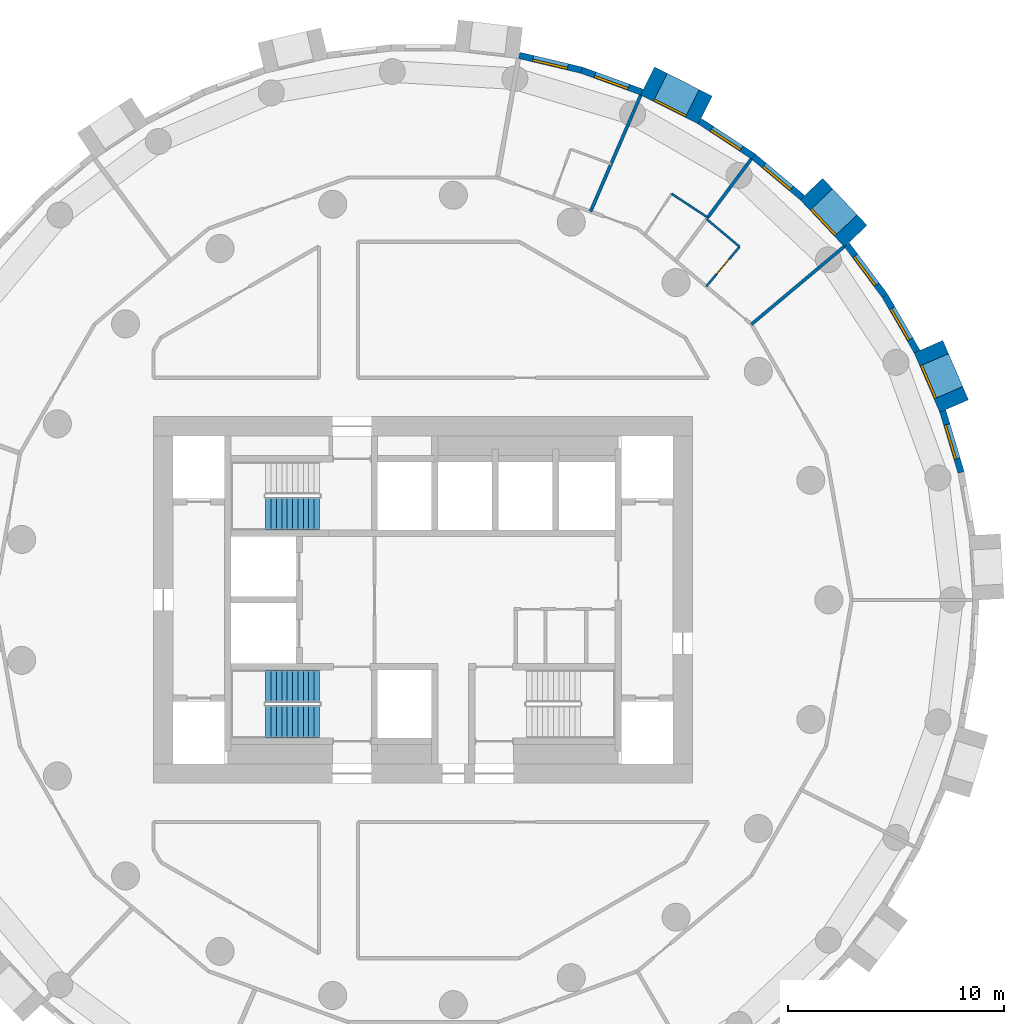
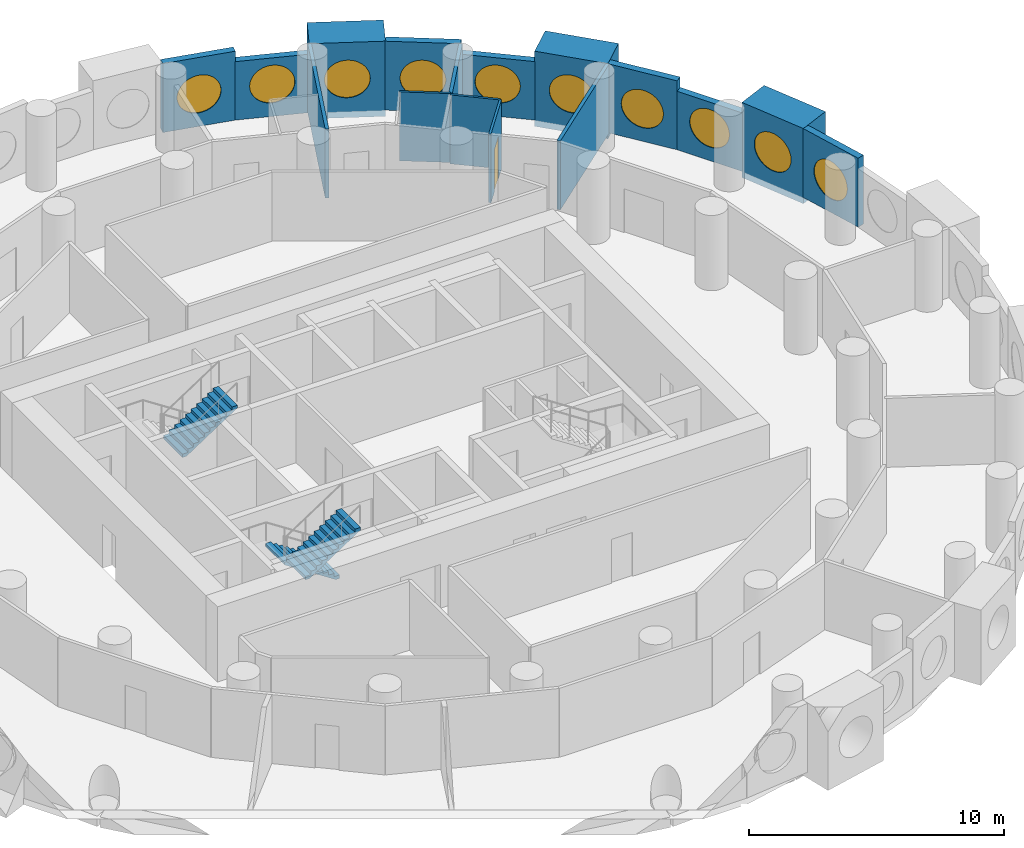
# One storey, part 7 of 9: 16 walls, 10 windows, 3 stair flights, 1 door, 11 openings, 2 elements without a shape of their own.
"""IFC4 building model written with IfcOpenShell, lengths in metres."""

from ifc_helpers import new_model, si_unit, direction, frame, frame_2d, origin, origin_2d, place, context, subcontext, project, spatial, polyline, rectangle, circle, outline, extrude, material, layer, layer_set, type_object, element, fill, aggregate, save


model = new_model("IFC4")

# Units and contexts
model_context = context("Model", 3, precision=1e-05, world=origin(), true_north=direction((0.0, 1.0)))
body_context = subcontext(model_context, "Body", "Model", "MODEL_VIEW")
ifc_project = project(units=[si_unit("LENGTHUNIT", "METRE"), si_unit("AREAUNIT", "SQUARE_METRE"), si_unit("VOLUMEUNIT", "CUBIC_METRE"), si_unit("PLANEANGLEUNIT", "RADIAN"), si_unit("MASSUNIT", "GRAM", prefix="KILO")], contexts=[model_context])

# Site, building, storey
site_placement = place(None, origin())
site = spatial("IfcSite", under=ifc_project, at=site_placement, CompositionType="ELEMENT")
building_placement = place(site_placement, origin())
building = spatial("IfcBuilding", under=site, at=building_placement, Name="Tracery Tower", CompositionType="ELEMENT")
storey_placement = place(building_placement, frame((0.0, 0.0, 154.800048828125)))
storey = spatial("IfcBuildingStorey", under=building, at=storey_placement, Name="L39", CompositionType="ELEMENT", Elevation=154.800048828125)

# Wall, opening, window
ifc_material_1 = material(Name="Precast concrete C50/60", Category="concrete")
ifc_layer_1 = layer(ifc_material_1, 1.449951171875)
ifc_layer_set_1 = layer_set([ifc_layer_1], Name="Deep-set bay unit 3000 x 3600, slab edge 300")
wall_type_1 = type_object("IfcWallType", Name="Deep-set bay unit 3000 x 3600, slab edge 300", PredefinedType="ELEMENTEDWALL", material=ifc_layer_set_1)
wall_1_placement = place(storey_placement, frame((24.632080078125, 8.99169921875, -0.300048828125), z_axis=(0.0, 0.0, 1.0), x_axis=(-0.396079003245, 0.918216435917, 0.0)))
wall_1 = element("IfcWall", 1, at=wall_1_placement, inside=storey, type_object=wall_type_1, Name="Deep-set bay unit 4 at L39", PredefinedType="ELEMENTEDWALL", context=body_context, shape_type="SweptSolid", body=[
    extrude(rectangle(XDim=3.0, YDim=1.449951171875, at=frame_2d((1.5, 0.0))), origin(), (0.0, 0.0, 1.0), 3.60009765625),
])
opening_1_placement = place(wall_1_placement, frame((1.5, 0.0, 1.85009765625)))
opening_1 = element("IfcOpeningElement", 2, at=opening_1_placement, cuts=wall_1, Name="Opening WN1", PredefinedType="OPENING", context=body_context, shape_type="SweptSolid", body=[
    extrude(circle(Radius=0.9000244140625, at=origin_2d()), frame((0.0, 0.73486328125, 0.0), z_axis=(0.0, -1.0, 0.0), x_axis=(1.0, 0.0, 0.0)), (0.0, 0.0, 1.0), 1.469970703125),
])
ifc_material_2 = material(Name="Aluminium frame with tinted double glazing", Category="aluminium")
window_type = type_object("IfcWindowType", Name="Round window 1800", PartitioningType="SINGLE_PANEL", PredefinedType="WINDOW", material=ifc_material_2)
window_1_placement = place(opening_1_placement, origin())
window_1 = element("IfcWindow", 3, at=window_1_placement, inside=storey, type_object=window_type, Name="Round window 4 at L39", OverallHeight=1.800048828125, OverallWidth=1.800048828125, PartitioningType="SINGLE_PANEL", PredefinedType="WINDOW", context=body_context, shape_type="SweptSolid", body=[
    extrude(circle(Radius=0.9000244140625, at=origin_2d()), frame((0.0, 0.69482421875, 0.0), z_axis=(0.0, -1.0, 0.0), x_axis=(1.0, 0.0, 0.0)), (0.0, 0.0, 1.0), 0.10009765625),
])
fill(opening_1, window_1)

wall_2_placement = place(storey_placement, frame((20.0712890625, 16.8740234375, -0.300048828125), z_axis=(0.0, 0.0, 1.0), x_axis=(-0.686217177108, 0.727396718334, 0.0)))
wall_2 = element("IfcWall", 4, at=wall_2_placement, inside=storey, type_object=wall_type_1, Name="Deep-set bay unit 7 at L39", PredefinedType="ELEMENTEDWALL", context=body_context, shape_type="SweptSolid", body=[
    extrude(rectangle(XDim=3.0, YDim=1.449951171875, at=frame_2d((1.5, 0.0))), origin(), (0.0, 0.0, 1.0), 3.60009765625),
])
opening_2_placement = place(wall_2_placement, frame((1.5, 0.0, 1.85009765625)))
opening_2 = element("IfcOpeningElement", 5, at=opening_2_placement, cuts=wall_2, Name="Opening WN1", PredefinedType="OPENING", context=body_context, shape_type="SweptSolid", body=[
    extrude(circle(Radius=0.9000244140625, at=origin_2d()), frame((0.0, 0.73486328125, 0.0), z_axis=(0.0, -1.0, 0.0), x_axis=(1.0, 0.0, 0.0)), (0.0, 0.0, 1.0), 1.469970703125),
])
window_2_placement = place(opening_2_placement, origin())
window_2 = element("IfcWindow", 6, at=window_2_placement, inside=storey, type_object=window_type, Name="Round window 7 at L39", OverallHeight=1.800048828125, OverallWidth=1.800048828125, PartitioningType="SINGLE_PANEL", PredefinedType="WINDOW", context=body_context, shape_type="SweptSolid", body=[
    extrude(circle(Radius=0.9000244140625, at=origin_2d()), frame((0.0, 0.69482421875, 0.0), z_axis=(0.0, -1.0, 0.0), x_axis=(1.0, 0.0, 0.0)), (0.0, 0.0, 1.0), 0.10009765625),
])
fill(opening_2, window_2)

wall_3_placement = place(storey_placement, frame((13.089599609375, 22.72119140625, -0.300048828125), z_axis=(0.0, 0.0, 1.0), x_axis=(-0.893628249713, 0.448807922518, 0.0)))
wall_3 = element("IfcWall", 7, at=wall_3_placement, inside=storey, type_object=wall_type_1, Name="Deep-set bay unit 10 at L39", PredefinedType="ELEMENTEDWALL", context=body_context, shape_type="SweptSolid", body=[
    extrude(rectangle(XDim=3.0, YDim=1.449951171875, at=frame_2d((1.5, 0.0))), origin(), (0.0, 0.0, 1.0), 3.60009765625),
])
opening_3_placement = place(wall_3_placement, frame((1.5, 0.0, 1.85009765625)))
opening_3 = element("IfcOpeningElement", 8, at=opening_3_placement, cuts=wall_3, Name="Opening WN1", PredefinedType="OPENING", context=body_context, shape_type="SweptSolid", body=[
    extrude(circle(Radius=0.9000244140625, at=origin_2d()), frame((0.0, 0.73486328125, 0.0), z_axis=(0.0, -1.0, 0.0), x_axis=(1.0, 0.0, 0.0)), (0.0, 0.0, 1.0), 1.469970703125),
])
window_3_placement = place(opening_3_placement, origin())
window_3 = element("IfcWindow", 9, at=window_3_placement, inside=storey, type_object=window_type, Name="Round window 10 at L39", OverallHeight=1.800048828125, OverallWidth=1.800048828125, PartitioningType="SINGLE_PANEL", PredefinedType="WINDOW", context=body_context, shape_type="SweptSolid", body=[
    extrude(circle(Radius=0.9000244140625, at=origin_2d()), frame((0.0, 0.69482421875, 0.0), z_axis=(0.0, -1.0, 0.0), x_axis=(1.0, 0.0, 0.0)), (0.0, 0.0, 1.0), 0.10009765625),
])
fill(opening_3, window_3)

ifc_material_3 = material(Name="Precast concrete C50/60", Category="concrete")
ifc_layer_2 = layer(ifc_material_3, 0.300048828125)
ifc_layer_set_2 = layer_set([ifc_layer_2], Name="Facade panel 3000 x 2800")
wall_type_2 = type_object("IfcWallType", Name="Facade panel 3000 x 2800", PredefinedType="SOLIDWALL", material=ifc_layer_set_2)
wall_4_placement = place(storey_placement, frame((22.91455078125, 11.518798828125, 0.0), z_axis=(0.0, 0.0, 1.0), x_axis=(-0.499954672104, 0.866051572276, 0.0)))
wall_4 = element("IfcWall", 10, at=wall_4_placement, inside=storey, type_object=wall_type_2, Name="Facade panel 5 at L39", PredefinedType="SOLIDWALL", context=body_context, shape_type="SweptSolid", body=[
    extrude(rectangle(XDim=2.972900390625, YDim=0.300048828125, at=frame_2d((1.486328125, 0.0))), origin(), (0.0, 0.0, 1.0), 2.800048828125),
])
opening_4_placement = place(wall_4_placement, frame((1.486328125, 0.0, 1.5498046875)))
opening_4 = element("IfcOpeningElement", 11, at=opening_4_placement, cuts=wall_4, Name="Opening WN1", PredefinedType="OPENING", context=body_context, shape_type="SweptSolid", body=[
    extrude(circle(Radius=0.9000244140625, at=origin_2d()), frame((0.0, 0.159912109375, 0.0), z_axis=(0.0, -1.0, 0.0), x_axis=(1.0, 0.0, 0.0)), (0.0, 0.0, 1.0), 0.320068359375),
])
window_4_placement = place(opening_4_placement, origin())
window_4 = element("IfcWindow", 12, at=window_4_placement, inside=storey, type_object=window_type, Name="Round window 5 at L39", OverallHeight=1.800048828125, OverallWidth=1.800048828125, PartitioningType="SINGLE_PANEL", PredefinedType="WINDOW", context=body_context, shape_type="SweptSolid", body=[
    extrude(circle(Radius=0.9000244140625, at=origin_2d()), frame((0.0, 0.1201171875, 0.0), z_axis=(0.0, -1.0, 0.0), x_axis=(1.0, 0.0, 0.0)), (0.0, 0.0, 1.0), 0.10009765625),
])
fill(opening_4, window_4)

wall_5_placement = place(storey_placement, frame((17.593017578125, 18.661376953125, 0.0), z_axis=(0.0, 0.0, 1.0), x_axis=(-0.766008913364, 0.642829950023, 0.0)))
wall_5 = element("IfcWall", 13, at=wall_5_placement, inside=storey, type_object=wall_type_2, Name="Facade panel 8 at L39", PredefinedType="SOLIDWALL", context=body_context, shape_type="SweptSolid", body=[
    extrude(rectangle(XDim=2.972900390625, YDim=0.300048828125, at=frame_2d((1.486328125, 0.0))), origin(), (0.0, 0.0, 1.0), 2.800048828125),
])
opening_5_placement = place(wall_5_placement, frame((1.486328125, 0.0, 1.5498046875)))
opening_5 = element("IfcOpeningElement", 14, at=opening_5_placement, cuts=wall_5, Name="Opening WN1", PredefinedType="OPENING", context=body_context, shape_type="SweptSolid", body=[
    extrude(circle(Radius=0.9000244140625, at=origin_2d()), frame((0.0, 0.159912109375, 0.0), z_axis=(0.0, -1.0, 0.0), x_axis=(1.0, 0.0, 0.0)), (0.0, 0.0, 1.0), 0.320068359375),
])
window_5_placement = place(opening_5_placement, origin())
window_5 = element("IfcWindow", 15, at=window_5_placement, inside=storey, type_object=window_type, Name="Round window 8 at L39", OverallHeight=1.800048828125, OverallWidth=1.800048828125, PartitioningType="SINGLE_PANEL", PredefinedType="WINDOW", context=body_context, shape_type="SweptSolid", body=[
    extrude(circle(Radius=0.9000244140625, at=origin_2d()), frame((0.0, 0.1201171875, 0.0), z_axis=(0.0, -1.0, 0.0), x_axis=(1.0, 0.0, 0.0)), (0.0, 0.0, 1.0), 0.10009765625),
])
fill(opening_5, window_5)

wall_6_placement = place(storey_placement, frame((10.1494140625, 23.55322265625, 0.0), z_axis=(0.0, 0.0, 1.0), x_axis=(-0.939690282133, 0.342026568652, 0.0)))
wall_6 = element("IfcWall", 16, at=wall_6_placement, inside=storey, type_object=wall_type_2, Name="Facade panel 11 at L39", PredefinedType="SOLIDWALL", context=body_context, shape_type="SweptSolid", body=[
    extrude(rectangle(XDim=2.972900390625, YDim=0.300048828125, at=frame_2d((1.486328125, 0.0))), origin(), (0.0, 0.0, 1.0), 2.800048828125),
])
opening_6_placement = place(wall_6_placement, frame((1.486328125, 0.0, 1.5498046875)))
opening_6 = element("IfcOpeningElement", 17, at=opening_6_placement, cuts=wall_6, Name="Opening WN1", PredefinedType="OPENING", context=body_context, shape_type="SweptSolid", body=[
    extrude(circle(Radius=0.9000244140625, at=origin_2d()), frame((0.0, 0.159912109375, 0.0), z_axis=(0.0, -1.0, 0.0), x_axis=(1.0, 0.0, 0.0)), (0.0, 0.0, 1.0), 0.320068359375),
])
window_6_placement = place(opening_6_placement, origin())
window_6 = element("IfcWindow", 18, at=window_6_placement, inside=storey, type_object=window_type, Name="Round window 11 at L39", OverallHeight=1.800048828125, OverallWidth=1.800048828125, PartitioningType="SINGLE_PANEL", PredefinedType="WINDOW", context=body_context, shape_type="SweptSolid", body=[
    extrude(circle(Radius=0.9000244140625, at=origin_2d()), frame((0.0, 0.1201171875, 0.0), z_axis=(0.0, -1.0, 0.0), x_axis=(1.0, 0.0, 0.0)), (0.0, 0.0, 1.0), 0.10009765625),
])
fill(opening_6, window_6)

ifc_material_4 = material(Name="Precast concrete C50/60", Category="concrete")
ifc_layer_3 = layer(ifc_material_4, 0.300048828125)
ifc_layer_set_3 = layer_set([ifc_layer_3], Name="Facade panel 3000 x 3300")
wall_type_3 = type_object("IfcWallType", Name="Facade panel 3000 x 3300", PredefinedType="SOLIDWALL", material=ifc_layer_set_3)
wall_7_placement = place(storey_placement, frame((24.9560546875, 5.914794921875, 0.0), z_axis=(0.0, 0.0, 1.0), x_axis=(-0.286782750849, 0.957995643944, 0.0)))
wall_7 = element("IfcWall", 19, at=wall_7_placement, inside=storey, type_object=wall_type_3, Name="Facade panel 3 at L39", PredefinedType="SOLIDWALL", context=body_context, shape_type="SweptSolid", body=[
    extrude(rectangle(XDim=2.97265625, YDim=0.300048828125, at=frame_2d((1.486328125, 0.0))), origin(), (0.0, 0.0, 1.0), 3.300048828125),
])
opening_7_placement = place(wall_7_placement, frame((1.486328125, 0.0, 1.5498046875)))
opening_7 = element("IfcOpeningElement", 20, at=opening_7_placement, cuts=wall_7, Name="Opening WN1", PredefinedType="OPENING", context=body_context, shape_type="SweptSolid", body=[
    extrude(circle(Radius=0.9000244140625, at=origin_2d()), frame((0.0, 0.159912109375, 0.0), z_axis=(0.0, -1.0, 0.0), x_axis=(1.0, 0.0, 0.0)), (0.0, 0.0, 1.0), 0.320068359375),
])
window_7_placement = place(opening_7_placement, origin())
window_7 = element("IfcWindow", 21, at=window_7_placement, inside=storey, type_object=window_type, Name="Round window 3 at L39", OverallHeight=1.800048828125, OverallWidth=1.800048828125, PartitioningType="SINGLE_PANEL", PredefinedType="WINDOW", context=body_context, shape_type="SweptSolid", body=[
    extrude(circle(Radius=0.9000244140625, at=origin_2d()), frame((0.0, 0.1201171875, 0.0), z_axis=(0.0, -1.0, 0.0), x_axis=(1.0, 0.0, 0.0)), (0.0, 0.0, 1.0), 0.10009765625),
])
fill(opening_7, window_7)

wall_8_placement = place(storey_placement, frame((21.42822265625, 14.093505859375, 0.0), z_axis=(0.0, 0.0, 1.0), x_axis=(-0.597197580538, 0.80209416517, 0.0)))
wall_8 = element("IfcWall", 22, at=wall_8_placement, inside=storey, type_object=wall_type_3, Name="Facade panel 6 at L39", PredefinedType="SOLIDWALL", context=body_context, shape_type="SweptSolid", body=[
    extrude(rectangle(XDim=2.972900390625, YDim=0.300048828125, at=frame_2d((1.486328125, 0.0))), origin(), (0.0, 0.0, 1.0), 3.300048828125),
])
opening_8_placement = place(wall_8_placement, frame((1.486328125, 0.0, 1.5498046875)))
opening_8 = element("IfcOpeningElement", 23, at=opening_8_placement, cuts=wall_8, Name="Opening WN1", PredefinedType="OPENING", context=body_context, shape_type="SweptSolid", body=[
    extrude(circle(Radius=0.9000244140625, at=origin_2d()), frame((0.0, 0.159912109375, 0.0), z_axis=(0.0, -1.0, 0.0), x_axis=(1.0, 0.0, 0.0)), (0.0, 0.0, 1.0), 0.320068359375),
])
window_8_placement = place(opening_8_placement, origin())
window_8 = element("IfcWindow", 24, at=window_8_placement, inside=storey, type_object=window_type, Name="Round window 6 at L39", OverallHeight=1.800048828125, OverallWidth=1.800048828125, PartitioningType="SINGLE_PANEL", PredefinedType="WINDOW", context=body_context, shape_type="SweptSolid", body=[
    extrude(circle(Radius=0.9000244140625, at=origin_2d()), frame((0.0, 0.1201171875, 0.0), z_axis=(0.0, -1.0, 0.0), x_axis=(1.0, 0.0, 0.0)), (0.0, 0.0, 1.0), 0.10009765625),
])
fill(opening_8, window_8)

wall_9_placement = place(storey_placement, frame((15.315673828125, 20.572509765625, 0.0), z_axis=(0.0, 0.0, 1.0), x_axis=(-0.835508361394, 0.54947773207, 0.0)))
wall_9 = element("IfcWall", 25, at=wall_9_placement, inside=storey, type_object=wall_type_3, Name="Facade panel 9 at L39", PredefinedType="SOLIDWALL", context=body_context, shape_type="SweptSolid", body=[
    extrude(rectangle(XDim=2.972900390625, YDim=0.300048828125, at=frame_2d((1.486328125, 0.0))), origin(), (0.0, 0.0, 1.0), 3.300048828125),
])
opening_9_placement = place(wall_9_placement, frame((1.486328125, 0.0, 1.5498046875)))
opening_9 = element("IfcOpeningElement", 26, at=opening_9_placement, cuts=wall_9, Name="Opening WN1", PredefinedType="OPENING", context=body_context, shape_type="SweptSolid", body=[
    extrude(circle(Radius=0.9000244140625, at=origin_2d()), frame((0.0, 0.159912109375, 0.0), z_axis=(0.0, -1.0, 0.0), x_axis=(1.0, 0.0, 0.0)), (0.0, 0.0, 1.0), 0.320068359375),
])
window_9_placement = place(opening_9_placement, origin())
window_9 = element("IfcWindow", 27, at=window_9_placement, inside=storey, type_object=window_type, Name="Round window 9 at L39", OverallHeight=1.800048828125, OverallWidth=1.800048828125, PartitioningType="SINGLE_PANEL", PredefinedType="WINDOW", context=body_context, shape_type="SweptSolid", body=[
    extrude(circle(Radius=0.9000244140625, at=origin_2d()), frame((0.0, 0.1201171875, 0.0), z_axis=(0.0, -1.0, 0.0), x_axis=(1.0, 0.0, 0.0)), (0.0, 0.0, 1.0), 0.10009765625),
])
fill(opening_9, window_9)

wall_10_placement = place(storey_placement, frame((7.355712890625, 24.570068359375, 0.0), z_axis=(0.0, 0.0, 1.0), x_axis=(-0.973045378923, 0.230613725862, 0.0)))
wall_10 = element("IfcWall", 28, at=wall_10_placement, inside=storey, type_object=wall_type_3, Name="Facade panel 12 at L39", PredefinedType="SOLIDWALL", context=body_context, shape_type="SweptSolid", body=[
    extrude(rectangle(XDim=2.97265625, YDim=0.300048828125, at=frame_2d((1.486328125, 0.0))), origin(), (0.0, 0.0, 1.0), 3.300048828125),
])
opening_10_placement = place(wall_10_placement, frame((1.486328125, 0.0, 1.5498046875)))
opening_10 = element("IfcOpeningElement", 29, at=opening_10_placement, cuts=wall_10, Name="Opening WN1", PredefinedType="OPENING", context=body_context, shape_type="SweptSolid", body=[
    extrude(circle(Radius=0.9000244140625, at=origin_2d()), frame((0.0, 0.159912109375, 0.0), z_axis=(0.0, -1.0, 0.0), x_axis=(1.0, 0.0, 0.0)), (0.0, 0.0, 1.0), 0.320068359375),
])
window_10_placement = place(opening_10_placement, origin())
window_10 = element("IfcWindow", 30, at=window_10_placement, inside=storey, type_object=window_type, Name="Round window 12 at L39", OverallHeight=1.800048828125, OverallWidth=1.800048828125, PartitioningType="SINGLE_PANEL", PredefinedType="WINDOW", context=body_context, shape_type="SweptSolid", body=[
    extrude(circle(Radius=0.9000244140625, at=origin_2d()), frame((0.0, 0.1201171875, 0.0), z_axis=(0.0, -1.0, 0.0), x_axis=(1.0, 0.0, 0.0)), (0.0, 0.0, 1.0), 0.10009765625),
])
fill(opening_10, window_10)

# Wall, opening, door
ifc_material_5 = material(Name="Plasterboard on steel studs", Category="steel")
ifc_layer_4 = layer(ifc_material_5, 0.10009765625)
ifc_layer_set_4 = layer_set([ifc_layer_4], Name="Partition 100 wet wall")
wall_type_4 = type_object("IfcWallType", Name="Partition 100 wet wall", PredefinedType="PARTITIONING", material=ifc_layer_set_4)
wall_11_placement = place(storey_placement, frame((13.138916015625, 14.5419921875, 0.0), z_axis=(0.0, 0.0, 1.0), x_axis=(0.642731657745, 0.766091388891, 0.0)))
wall_11 = element("IfcWall", 31, at=wall_11_placement, inside=storey, type_object=wall_type_4, Name="Wet wall RB3-041", PredefinedType="PARTITIONING", context=body_context, shape_type="SweptSolid", body=[
    extrude(rectangle(XDim=2.400634765625, YDim=0.10009765625, at=frame_2d((1.2001953125, 0.0))), origin(), (0.0, 0.0, 1.0), 3.300048828125),
])
opening_11_placement = place(wall_11_placement, frame((0.75, 0.0, 0.0)))
opening_11 = element("IfcOpeningElement", 32, at=opening_11_placement, cuts=wall_11, Name="Opening RB3-06", PredefinedType="OPENING", context=body_context, shape_type="SweptSolid", body=[
    extrude(rectangle(XDim=0.89990234375, YDim=2.0400390625, at=frame_2d((0.449951171875, 1.02001953125))), frame((0.0, 0.050048828125, 0.0), z_axis=(0.0, -1.0, 0.0), x_axis=(1.0, 0.0, 0.0)), (0.0, 0.0, 1.0), 0.10009765625),
])
ifc_material_6 = material(Name="Timber door leaf", Category="wood")
door_type = type_object("IfcDoorType", Name="Door en-suite 900", OperationType="NOTDEFINED", PredefinedType="DOOR", material=ifc_material_6)
door_placement = place(opening_11_placement, origin())
door = element("IfcDoor", 33, at=door_placement, inside=storey, type_object=door_type, Name="En-suite door RB3-06", OperationType="SINGLE_SWING_LEFT", OverallHeight=2.0400390625, OverallWidth=0.89990234375, PredefinedType="DOOR", context=body_context, shape_type="SweptSolid", body=[
    extrude(rectangle(XDim=0.89990234375, YDim=2.0400390625, at=frame_2d((0.449951171875, 1.02001953125))), frame((0.0, 0.02490234375, 0.0), z_axis=(0.0, -1.0, 0.0), x_axis=(1.0, 0.0, 0.0)), (0.0, 0.0, 1.0), 0.050048828125),
])
fill(opening_11, door)

# Walls
wall_12_placement = place(storey_placement, frame((13.15087890625, 17.6650390625, 0.0), z_axis=(0.0, 0.0, 1.0), x_axis=(0.766224532916, -0.642572925945, 0.0)))
element("IfcWall", 34, at=wall_12_placement, inside=storey, type_object=wall_type_4, Name="Wet wall RB3-042", PredefinedType="PARTITIONING", context=body_context, shape_type="SweptSolid", body=[
    extrude(rectangle(XDim=1.998046875, YDim=0.10009765625, at=frame_2d((0.9990234375, 0.0))), origin(), (0.0, 0.0, 1.0), 3.300048828125),
])
wall_13_placement = place(storey_placement, frame((11.531005859375, 18.8369140625, 0.0), z_axis=(0.0, 0.0, 1.0), x_axis=(0.835392041163, -0.549654562032, 0.0)))
element("IfcWall", 35, at=wall_13_placement, inside=storey, type_object=wall_type_4, Name="Wet wall RB3-045", PredefinedType="PARTITIONING", context=body_context, shape_type="SweptSolid", body=[
    extrude(rectangle(XDim=2.002685546875, YDim=0.10009765625, at=frame_2d((1.00146484375, 0.0))), origin(), (0.0, 0.0, 1.0), 3.300048828125),
])
ifc_material_7 = material(Name="Plasterboard on steel studs", Category="steel")
ifc_layer_5 = layer(ifc_material_7, 0.14990234375)
ifc_layer_set_5 = layer_set([ifc_layer_5], Name="Partition 150 acoustic unit wall")
wall_type_5 = type_object("IfcWallType", Name="Partition 150 acoustic unit wall", PredefinedType="PARTITIONING", material=ifc_layer_set_5)
wall_14_placement = place(storey_placement, frame((15.235107421875, 12.783935546875, 0.0), z_axis=(0.0, 0.0, 1.0), x_axis=(0.76609059793, 0.642732600514, 0.0)))
element("IfcWall", 36, at=wall_14_placement, inside=storey, type_object=wall_type_5, Name="Unit wall RB3-039", PredefinedType="PARTITIONING", context=body_context, shape_type="SweptSolid", body=[
    extrude(rectangle(XDim=5.60888671875, YDim=0.14990234375, at=frame_2d((2.804443359375, 0.0))), origin(), (0.0, 0.0, 1.0), 3.300048828125),
])
wall_15_placement = place(storey_placement, frame((13.201904296875, 17.73291015625, 0.0), z_axis=(0.0, 0.0, 1.0), x_axis=(0.597149819296, 0.802129723495, 0.0)))
element("IfcWall", 37, at=wall_15_placement, inside=storey, type_object=wall_type_5, Name="Unit wall RB3-043", PredefinedType="PARTITIONING", context=body_context, shape_type="SweptSolid", body=[
    extrude(rectangle(XDim=3.3896484375, YDim=0.14990234375, at=frame_2d((1.69482421875, 0.0))), origin(), (0.0, 0.0, 1.0), 3.300048828125),
])
wall_16_placement = place(storey_placement, frame((7.771728515625, 18.013671875, 0.0), z_axis=(0.0, 0.0, 1.0), x_axis=(0.395898183585, 0.918294412612, 0.0)))
element("IfcWall", 38, at=wall_16_placement, inside=storey, type_object=wall_type_5, Name="Unit wall RB3-047", PredefinedType="PARTITIONING", context=body_context, shape_type="SweptSolid", body=[
    extrude(rectangle(XDim=5.878662109375, YDim=0.14990234375, at=frame_2d((2.939453125, 0.0))), origin(), (0.0, 0.0, 1.0), 3.300048828125),
])

# Stair, stair flights
ifc_material_8 = material(Name="Concrete C32/40", Category="concrete")
stair_type = type_object("IfcStairType", Name="Core stair 22 risers", PredefinedType="HALF_TURN_STAIR", material=ifc_material_8)
stair_1_placement = place(storey_placement, origin())
stair_1 = element("IfcStair", 39, at=stair_1_placement, inside=storey, type_object=stair_type, Name="L39 stair ST1", PredefinedType="HALF_TURN_STAIR")
ifc_material_9 = material(Name="Concrete C32/40", Category="concrete")
stair_flight_type = type_object("IfcStairFlightType", Name="Core stair flight 11 risers", PredefinedType="STRAIGHT", material=ifc_material_9)
stair_flight_1_placement = place(storey_placement, frame((-4.800048828125, -4.0, 0.0), z_axis=(0.0, 0.0, 1.0), x_axis=(-1.0, 0.0, 0.0)))
stair_flight_1 = element("IfcStairFlight", 40, at=stair_flight_1_placement, type_object=stair_flight_type, Name="ST1 flight 1", NumberOfRisers=11, NumberOfTreads=10, PredefinedType="STRAIGHT", RiserHeight=0.163636364, TreadLength=0.25, context=body_context, shape_type="SweptSolid", body=[
    extrude(outline(polyline([(0.0, 0.0), (0.0, 0.002685546875), (0.0, 0.00537109375), (0.0, 0.008056640625), (0.0, 0.0107421875), (0.0, 0.013427734375), (0.0, 0.01611328125), (0.0, 0.018798828125), (0.0, 0.021484375), (0.0, 0.024169921875), (0.0, 0.02685546875), (0.0, 0.029541015625), (0.0, 0.0322265625), (0.0, 0.034912109375), (0.0, 0.03759765625), (0.0, 0.040283203125), (0.0, 0.04296875), (0.0, 0.045654296875), (0.0, 0.04833984375), (0.0, 0.051025390625), (0.0, 0.0537109375), (0.0, 0.056396484375), (0.0, 0.05908203125), (0.0, 0.061767578125), (0.0, 0.064453125), (0.0, 0.067138671875), (0.0, 0.06982421875), (0.0, 0.072509765625), (0.0, 0.0751953125), (0.0, 0.077880859375), (0.0, 0.08056640625), (0.0, 0.083251953125), (0.0, 0.0859375), (0.0, 0.088623046875), (0.0, 0.09130859375), (0.0, 0.093994140625), (0.0, 0.0966796875), (0.0, 0.099365234375), (0.0, 0.10205078125), (0.0, 0.104736328125), (0.0, 0.107421875), (0.0, 0.10986328125), (0.0, 0.112548828125), (0.0, 0.115234375), (0.0, 0.117919921875), (0.0, 0.12060546875), (0.0, 0.123291015625), (0.0, 0.1259765625), (0.0, 0.128662109375), (0.0, 0.13134765625), (0.0, 0.134033203125), (0.0, 0.13671875), (0.0, 0.139404296875), (0.0, 0.14208984375), (0.0, 0.144775390625), (0.0, 0.1474609375), (0.0, 0.150146484375), (0.0, 0.15283203125), (0.0, 0.155517578125), (0.0, 0.158203125), (0.0, 0.160888671875), (0.0, 0.16357421875), (0.25, 0.16357421875), (0.25, 0.327392578125), (0.5, 0.327392578125), (0.5, 0.490966796875), (0.75, 0.490966796875), (0.75, 0.654541015625), (1.0, 0.654541015625), (1.0, 0.818115234375), (1.25, 0.818115234375), (1.25, 0.98193359375), (1.5, 0.98193359375), (1.5, 1.1455078125), (1.75, 1.1455078125), (1.75, 1.30908203125), (2.0, 1.30908203125), (2.0, 1.47265625), (2.25, 1.47265625), (2.25, 1.636474609375), (2.5, 1.636474609375), (2.5, 1.634521484375), (2.5, 1.63232421875), (2.5, 1.63037109375), (2.5, 1.62841796875), (2.5, 1.62646484375), (2.5, 1.62451171875), (2.5, 1.62255859375), (2.5, 1.62060546875), (2.5, 1.61865234375), (2.5, 1.61669921875), (2.5, 1.61474609375), (2.5, 1.61279296875), (2.5, 1.61083984375), (2.5, 1.60888671875), (2.5, 1.60693359375), (2.5, 1.60498046875), (2.5, 1.60302734375), (2.5, 1.60107421875), (2.5, 1.59912109375), (2.5, 1.59716796875), (2.5, 1.59521484375), (2.5, 1.59326171875), (2.5, 1.59130859375), (2.5, 1.58935546875), (2.5, 1.58740234375), (2.5, 1.58544921875), (2.5, 1.58349609375), (2.5, 1.58154296875), (2.5, 1.57958984375), (2.5, 1.57763671875), (2.5, 1.57568359375), (2.5, 1.573486328125), (2.5, 1.571533203125), (2.5, 1.569580078125), (2.5, 1.567626953125), (2.5, 1.565673828125), (2.5, 1.563720703125), (2.5, 1.561767578125), (2.5, 1.559814453125), (2.5, 1.557861328125), (2.5, 1.555908203125), (2.5, 1.553955078125), (2.5, 1.552001953125), (2.5, 1.550048828125), (2.5, 1.548095703125), (2.5, 1.546142578125), (2.5, 1.544189453125), (2.5, 1.542236328125), (2.5, 1.540283203125), (2.5, 1.538330078125), (2.5, 1.536376953125), (2.5, 1.534423828125), (2.5, 1.532470703125), (2.5, 1.530517578125), (2.5, 1.528564453125), (2.5, 1.526611328125), (2.5, 1.524658203125), (2.5, 1.522705078125), (2.5, 1.520751953125), (2.5, 1.518798828125), (2.5, 1.516845703125), (0.182861328125, 0.0), (0.0, 0.0)])), frame((0.0, 0.75, 0.0), z_axis=(0.0, -1.0, 0.0), x_axis=(1.0, 0.0, 0.0)), (0.0, 0.0, 1.0), 1.5),
])
stair_flight_2_placement = place(storey_placement, frame((-7.300048828125, -5.64990234375, 1.800048828125), z_axis=(0.0, 0.0, 1.0), x_axis=(1.0, 0.0, 0.0)))
stair_flight_2 = element("IfcStairFlight", 41, at=stair_flight_2_placement, type_object=stair_flight_type, Name="ST1 flight 2", NumberOfRisers=11, NumberOfTreads=10, PredefinedType="STRAIGHT", RiserHeight=0.163636364, TreadLength=0.25, context=body_context, shape_type="SweptSolid", body=[
    extrude(outline(polyline([(0.0, 0.0), (0.0, 0.002685546875), (0.0, 0.00537109375), (0.0, 0.008056640625), (0.0, 0.0107421875), (0.0, 0.013427734375), (0.0, 0.01611328125), (0.0, 0.018798828125), (0.0, 0.021484375), (0.0, 0.024169921875), (0.0, 0.02685546875), (0.0, 0.029541015625), (0.0, 0.0322265625), (0.0, 0.034912109375), (0.0, 0.03759765625), (0.0, 0.040283203125), (0.0, 0.04296875), (0.0, 0.045654296875), (0.0, 0.04833984375), (0.0, 0.051025390625), (0.0, 0.0537109375), (0.0, 0.056396484375), (0.0, 0.05908203125), (0.0, 0.061767578125), (0.0, 0.064453125), (0.0, 0.067138671875), (0.0, 0.06982421875), (0.0, 0.072509765625), (0.0, 0.0751953125), (0.0, 0.077880859375), (0.0, 0.08056640625), (0.0, 0.083251953125), (0.0, 0.0859375), (0.0, 0.088623046875), (0.0, 0.09130859375), (0.0, 0.093994140625), (0.0, 0.0966796875), (0.0, 0.099365234375), (0.0, 0.10205078125), (0.0, 0.104736328125), (0.0, 0.107421875), (0.0, 0.10986328125), (0.0, 0.112548828125), (0.0, 0.115234375), (0.0, 0.117919921875), (0.0, 0.12060546875), (0.0, 0.123291015625), (0.0, 0.1259765625), (0.0, 0.128662109375), (0.0, 0.13134765625), (0.0, 0.134033203125), (0.0, 0.13671875), (0.0, 0.139404296875), (0.0, 0.14208984375), (0.0, 0.144775390625), (0.0, 0.1474609375), (0.0, 0.150146484375), (0.0, 0.15283203125), (0.0, 0.155517578125), (0.0, 0.158203125), (0.0, 0.160888671875), (0.0, 0.16357421875), (0.25, 0.16357421875), (0.25, 0.327392578125), (0.5, 0.327392578125), (0.5, 0.490966796875), (0.75, 0.490966796875), (0.75, 0.654541015625), (1.0, 0.654541015625), (1.0, 0.818115234375), (1.25, 0.818115234375), (1.25, 0.98193359375), (1.5, 0.98193359375), (1.5, 1.1455078125), (1.75, 1.1455078125), (1.75, 1.30908203125), (2.0, 1.30908203125), (2.0, 1.47265625), (2.25, 1.47265625), (2.25, 1.636474609375), (2.5, 1.636474609375), (2.5, 1.634521484375), (2.5, 1.63232421875), (2.5, 1.63037109375), (2.5, 1.62841796875), (2.5, 1.62646484375), (2.5, 1.62451171875), (2.5, 1.62255859375), (2.5, 1.62060546875), (2.5, 1.61865234375), (2.5, 1.61669921875), (2.5, 1.61474609375), (2.5, 1.61279296875), (2.5, 1.61083984375), (2.5, 1.60888671875), (2.5, 1.60693359375), (2.5, 1.60498046875), (2.5, 1.60302734375), (2.5, 1.60107421875), (2.5, 1.59912109375), (2.5, 1.59716796875), (2.5, 1.59521484375), (2.5, 1.59326171875), (2.5, 1.59130859375), (2.5, 1.58935546875), (2.5, 1.58740234375), (2.5, 1.58544921875), (2.5, 1.58349609375), (2.5, 1.58154296875), (2.5, 1.57958984375), (2.5, 1.57763671875), (2.5, 1.57568359375), (2.5, 1.573486328125), (2.5, 1.571533203125), (2.5, 1.569580078125), (2.5, 1.567626953125), (2.5, 1.565673828125), (2.5, 1.563720703125), (2.5, 1.561767578125), (2.5, 1.559814453125), (2.5, 1.557861328125), (2.5, 1.555908203125), (2.5, 1.553955078125), (2.5, 1.552001953125), (2.5, 1.550048828125), (2.5, 1.548095703125), (2.5, 1.546142578125), (2.5, 1.544189453125), (2.5, 1.542236328125), (2.5, 1.540283203125), (2.5, 1.538330078125), (2.5, 1.536376953125), (2.5, 1.534423828125), (2.5, 1.532470703125), (2.5, 1.530517578125), (2.5, 1.528564453125), (2.5, 1.526611328125), (2.5, 1.524658203125), (2.5, 1.522705078125), (2.5, 1.520751953125), (2.5, 1.518798828125), (2.5, 1.516845703125), (0.182861328125, 0.0), (0.0, 0.0)])), frame((0.0, 0.75, 0.0), z_axis=(0.0, -1.0, 0.0), x_axis=(1.0, 0.0, 0.0)), (0.0, 0.0, 1.0), 1.5),
])
aggregate(stair_1, [stair_flight_1, stair_flight_2])

# Stair, stair flight
stair_2_placement = place(storey_placement, origin())
stair_2 = element("IfcStair", 42, at=stair_2_placement, inside=storey, type_object=stair_type, Name="L39 stair ST3", PredefinedType="HALF_TURN_STAIR")
stair_flight_3_placement = place(storey_placement, frame((-7.300048828125, 4.0, 1.800048828125), z_axis=(0.0, 0.0, 1.0), x_axis=(1.0, 0.0, 0.0)))
stair_flight_3 = element("IfcStairFlight", 43, at=stair_flight_3_placement, type_object=stair_flight_type, Name="ST3 flight 2", NumberOfRisers=11, NumberOfTreads=10, PredefinedType="STRAIGHT", RiserHeight=0.163636364, TreadLength=0.25, context=body_context, shape_type="SweptSolid", body=[
    extrude(outline(polyline([(0.0, 0.0), (0.0, 0.002685546875), (0.0, 0.00537109375), (0.0, 0.008056640625), (0.0, 0.0107421875), (0.0, 0.013427734375), (0.0, 0.01611328125), (0.0, 0.018798828125), (0.0, 0.021484375), (0.0, 0.024169921875), (0.0, 0.02685546875), (0.0, 0.029541015625), (0.0, 0.0322265625), (0.0, 0.034912109375), (0.0, 0.03759765625), (0.0, 0.040283203125), (0.0, 0.04296875), (0.0, 0.045654296875), (0.0, 0.04833984375), (0.0, 0.051025390625), (0.0, 0.0537109375), (0.0, 0.056396484375), (0.0, 0.05908203125), (0.0, 0.061767578125), (0.0, 0.064453125), (0.0, 0.067138671875), (0.0, 0.06982421875), (0.0, 0.072509765625), (0.0, 0.0751953125), (0.0, 0.077880859375), (0.0, 0.08056640625), (0.0, 0.083251953125), (0.0, 0.0859375), (0.0, 0.088623046875), (0.0, 0.09130859375), (0.0, 0.093994140625), (0.0, 0.0966796875), (0.0, 0.099365234375), (0.0, 0.10205078125), (0.0, 0.104736328125), (0.0, 0.107421875), (0.0, 0.10986328125), (0.0, 0.112548828125), (0.0, 0.115234375), (0.0, 0.117919921875), (0.0, 0.12060546875), (0.0, 0.123291015625), (0.0, 0.1259765625), (0.0, 0.128662109375), (0.0, 0.13134765625), (0.0, 0.134033203125), (0.0, 0.13671875), (0.0, 0.139404296875), (0.0, 0.14208984375), (0.0, 0.144775390625), (0.0, 0.1474609375), (0.0, 0.150146484375), (0.0, 0.15283203125), (0.0, 0.155517578125), (0.0, 0.158203125), (0.0, 0.160888671875), (0.0, 0.16357421875), (0.25, 0.16357421875), (0.25, 0.327392578125), (0.5, 0.327392578125), (0.5, 0.490966796875), (0.75, 0.490966796875), (0.75, 0.654541015625), (1.0, 0.654541015625), (1.0, 0.818115234375), (1.25, 0.818115234375), (1.25, 0.98193359375), (1.5, 0.98193359375), (1.5, 1.1455078125), (1.75, 1.1455078125), (1.75, 1.30908203125), (2.0, 1.30908203125), (2.0, 1.47265625), (2.25, 1.47265625), (2.25, 1.636474609375), (2.5, 1.636474609375), (2.5, 1.634521484375), (2.5, 1.63232421875), (2.5, 1.63037109375), (2.5, 1.62841796875), (2.5, 1.62646484375), (2.5, 1.62451171875), (2.5, 1.62255859375), (2.5, 1.62060546875), (2.5, 1.61865234375), (2.5, 1.61669921875), (2.5, 1.61474609375), (2.5, 1.61279296875), (2.5, 1.61083984375), (2.5, 1.60888671875), (2.5, 1.60693359375), (2.5, 1.60498046875), (2.5, 1.60302734375), (2.5, 1.60107421875), (2.5, 1.59912109375), (2.5, 1.59716796875), (2.5, 1.59521484375), (2.5, 1.59326171875), (2.5, 1.59130859375), (2.5, 1.58935546875), (2.5, 1.58740234375), (2.5, 1.58544921875), (2.5, 1.58349609375), (2.5, 1.58154296875), (2.5, 1.57958984375), (2.5, 1.57763671875), (2.5, 1.57568359375), (2.5, 1.573486328125), (2.5, 1.571533203125), (2.5, 1.569580078125), (2.5, 1.567626953125), (2.5, 1.565673828125), (2.5, 1.563720703125), (2.5, 1.561767578125), (2.5, 1.559814453125), (2.5, 1.557861328125), (2.5, 1.555908203125), (2.5, 1.553955078125), (2.5, 1.552001953125), (2.5, 1.550048828125), (2.5, 1.548095703125), (2.5, 1.546142578125), (2.5, 1.544189453125), (2.5, 1.542236328125), (2.5, 1.540283203125), (2.5, 1.538330078125), (2.5, 1.536376953125), (2.5, 1.534423828125), (2.5, 1.532470703125), (2.5, 1.530517578125), (2.5, 1.528564453125), (2.5, 1.526611328125), (2.5, 1.524658203125), (2.5, 1.522705078125), (2.5, 1.520751953125), (2.5, 1.518798828125), (2.5, 1.516845703125), (0.182861328125, 0.0), (0.0, 0.0)])), frame((0.0, 0.75, 0.0), z_axis=(0.0, -1.0, 0.0), x_axis=(1.0, 0.0, 0.0)), (0.0, 0.0, 1.0), 1.5),
])
aggregate(stair_2, [stair_flight_3])

save(model, "model.ifc")
